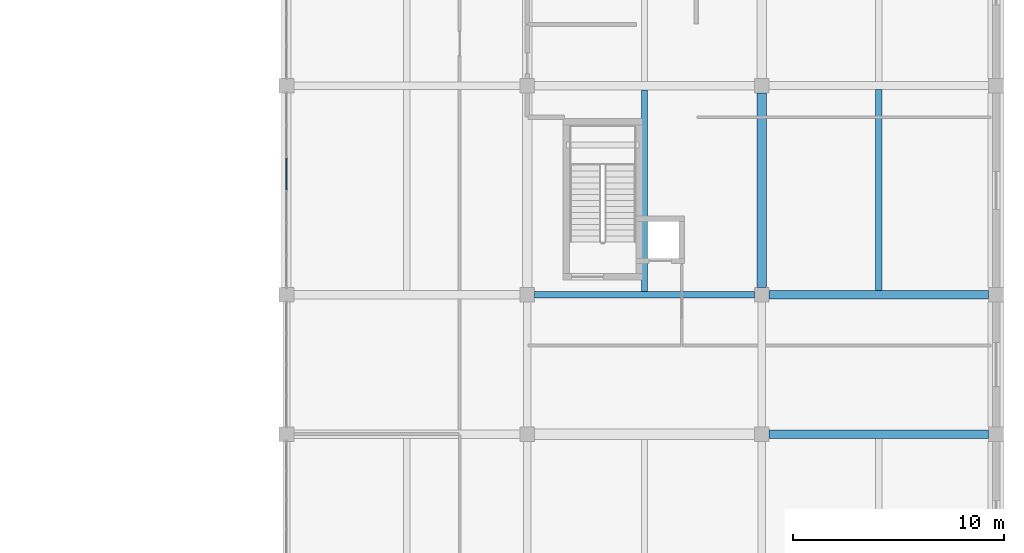
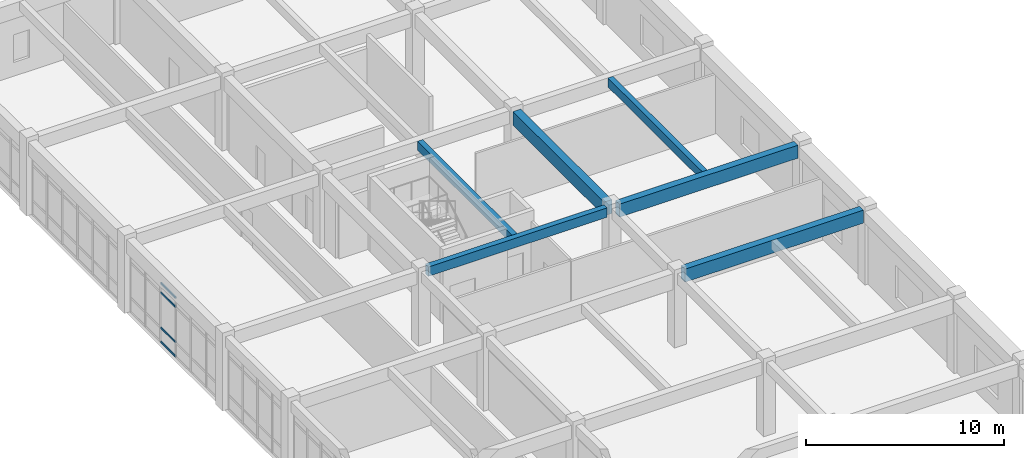
# One storey, part 28 of 65: 6 beams, 4 members, 1 element without a shape of its own.
"""IFC4 building model written with IfcOpenShell, lengths in metres."""

from ifc_helpers import new_model, si_unit, direction, frame, origin, origin_2d, place, context, subcontext, project, spatial, rectangle, extrude, material, layer, layer_set, material_profile, profile_set, type_object, element, aggregate, save


model = new_model("IFC4")

# Units and contexts
model_context = context("Model", 3, precision=1e-05, world=origin(), true_north=direction((0.0, 1.0)))
body_context = subcontext(model_context, "Body", "Model", "MODEL_VIEW")
ifc_project = project(units=[si_unit("LENGTHUNIT", "METRE"), si_unit("AREAUNIT", "SQUARE_METRE"), si_unit("VOLUMEUNIT", "CUBIC_METRE"), si_unit("PLANEANGLEUNIT", "RADIAN"), si_unit("MASSUNIT", "GRAM", prefix="KILO")], contexts=[model_context])

# Site, building, storey
site_placement = place(None, origin())
site = spatial("IfcSite", under=ifc_project, at=site_placement, CompositionType="ELEMENT")
building_placement = place(site_placement, origin())
building = spatial("IfcBuilding", under=site, at=building_placement, Name="Miralva Faculty of Natural Sciences", CompositionType="ELEMENT")
storey_placement = place(building_placement, frame((0.0, 0.0, 10.199951171875)))
storey = spatial("IfcBuildingStorey", under=building, at=storey_placement, Name="L02", CompositionType="ELEMENT", Elevation=10.199951171875)

# Beams
ifc_material_1 = material(Name="Concrete C40/50", Category="concrete")
ifc_material_profile_1 = material_profile(ifc_material_1, rectangle(XDim=0.449951171875, YDim=0.85009765625, at=origin_2d()), Name="RC 450x850")
ifc_profile_set_1 = profile_set([ifc_material_profile_1], Name="Concrete C40/50")
beam_type_1 = type_object("IfcBeamType", Name="BM-B01", PredefinedType="BEAM", material=ifc_profile_set_1)
beam_1_placement = place(storey_placement, frame((156.300048828125, 45.949951171875, 4.094970703125), z_axis=(0.0, 1.0, 0.0), x_axis=(-1.0, 0.0, 0.0)))
element("IfcBeam", 1, at=beam_1_placement, inside=storey, type_object=beam_type_1, Name="Girder NS L02-138", PredefinedType="BEAM", context=body_context, shape_type="SweptSolid", body=[
    extrude(rectangle(XDim=0.449951171875, YDim=0.85009765625, at=origin_2d()), origin(), (0.0, 0.0, 1.0), 9.199951171875),
])
ifc_material_profile_2 = material_profile(ifc_material_1, rectangle(XDim=0.39990234375, YDim=0.800048828125, at=origin_2d()), Name="RC 400x800")
ifc_profile_set_2 = profile_set([ifc_material_profile_2], Name="Concrete C40/50")
beam_type_2 = type_object("IfcBeamType", Name="BM-B02", PredefinedType="BEAM", material=ifc_profile_set_2)
for number, where, z_axis, x_axis, name in (
    (2, (156.64990234375, 39.0, 4.1201171875), (1.0, 0.0, 0.0), (0.0, 1.0, 0.0), "Girder EW L02-38"),
    (3, (156.64990234375, 45.60009765625, 4.1201171875), (1.0, 0.0, 0.0), (0.0, 1.0, 0.0), "Girder EW L02-44"),
):
    element("IfcBeam", number, at=place(storey_placement, frame(where, z_axis=z_axis, x_axis=x_axis)), inside=storey, type_object=beam_type_2, Name=name, PredefinedType="BEAM", context=body_context, shape_type="SweptSolid", body=[
        extrude(rectangle(XDim=0.39990234375, YDim=0.800048828125, at=origin_2d()), origin(), (0.0, 0.0, 1.0), 10.400146484375),
    ])
ifc_material_profile_3 = material_profile(ifc_material_1, rectangle(XDim=0.320068359375, YDim=0.580078125, at=origin_2d()), Name="RC 320x580")
ifc_profile_set_3 = profile_set([ifc_material_profile_3], Name="Concrete C40/50")
beam_type_3 = type_object("IfcBeamType", Name="BM-BG02", PredefinedType="BEAM", material=ifc_profile_set_3)
beam_2_placement = place(storey_placement, frame((145.550048828125, 45.60009765625, 4.22998046875), z_axis=(1.0, 0.0, 0.0), x_axis=(0.0, 1.0, 0.0)))
element("IfcBeam", 4, at=beam_2_placement, inside=storey, type_object=beam_type_3, Name="Girder EW L02-43", PredefinedType="BEAM", context=body_context, shape_type="SweptSolid", body=[
    extrude(rectangle(XDim=0.320068359375, YDim=0.580078125, at=origin_2d()), origin(), (0.0, 0.0, 1.0), 10.39990234375),
])
ifc_material_profile_4 = material_profile(ifc_material_1, rectangle(XDim=0.300048828125, YDim=0.550048828125, at=origin_2d()), Name="RC 300x550")
ifc_profile_set_4 = profile_set([ifc_material_profile_4], Name="Concrete C40/50")
beam_type_4 = type_object("IfcBeamType", Name="BM-J02", PredefinedType="JOIST", material=ifc_profile_set_4)
beam_3_placement = place(storey_placement, frame((150.75, 45.760009765625, 4.2451171875), z_axis=(0.0, 1.0, 0.0), x_axis=(-1.0, 0.0, 0.0)))
element("IfcBeam", 5, at=beam_3_placement, inside=storey, type_object=beam_type_4, Name="Floor joist L02-15", PredefinedType="JOIST", context=body_context, shape_type="SweptSolid", body=[
    extrude(rectangle(XDim=0.300048828125, YDim=0.550048828125, at=origin_2d()), origin(), (0.0, 0.0, 1.0), 9.5400390625),
])
beam_4_placement = place(storey_placement, frame((161.85009765625, 45.800048828125, 4.2451171875), z_axis=(0.0, 1.0, 0.0), x_axis=(-1.0, 0.0, 0.0)))
element("IfcBeam", 6, at=beam_4_placement, inside=storey, type_object=beam_type_4, Name="Floor joist L02-16", PredefinedType="JOIST", context=body_context, shape_type="SweptSolid", body=[
    extrude(rectangle(XDim=0.300048828125, YDim=0.550048828125, at=origin_2d()), origin(), (0.0, 0.0, 1.0), 9.510009765625),
])

# Curtain wall, members
ifc_material_2 = material(Name="Laminated solar-control glass", Category="glass")
ifc_layer = layer(ifc_material_2, 0.179931640625, Name="CW-COM-L01")
ifc_layer_set = layer_set([ifc_layer], Name="Laminated solar-control glass")
curtain_wall_type = type_object("IfcCurtainWallType", Name="CW-COM-L01", PredefinedType="USERDEFINED", material=ifc_layer_set)
curtain_wall_placement = place(storey_placement, origin())
curtain_wall = element("IfcCurtainWall", 7, at=curtain_wall_placement, inside=storey, type_object=curtain_wall_type, Name="Curtain wall CW-10 L02-272", ObjectType="UNITISED CURTAIN WALL", PredefinedType="USERDEFINED")
ifc_material_3 = material(Name="Anodised aluminium", Category="aluminium")
ifc_material_profile_5 = material_profile(ifc_material_3, rectangle(XDim=0.06005859375, YDim=0.1201171875, at=origin_2d()), Name="TRANSOM 60x120")
ifc_profile_set_5 = profile_set([ifc_material_profile_5], Name="Anodised aluminium")
member_type = type_object("IfcMemberType", Name="CW-T02", PredefinedType="USERDEFINED", material=ifc_profile_set_5)
member_1_placement = place(storey_placement, frame((133.800048828125, 50.580078125, 0.030029296875), z_axis=(0.0, 1.0, 0.0), x_axis=(-1.0, 0.0, 0.0)))
member_1 = element("IfcMember", 8, at=member_1_placement, type_object=member_type, Name="CW-10 transom 4.1", ObjectType="TRANSOM", PredefinedType="USERDEFINED", context=body_context, shape_type="SweptSolid", body=[
    extrude(rectangle(XDim=0.06005859375, YDim=0.1201171875, at=origin_2d()), origin(), (0.0, 0.0, 1.0), 1.478271484375),
])
member_2_placement = place(storey_placement, frame((133.800048828125, 50.580078125, 0.900146484375), z_axis=(0.0, 1.0, 0.0), x_axis=(-1.0, 0.0, 0.0)))
member_2 = element("IfcMember", 9, at=member_2_placement, type_object=member_type, Name="CW-10 transom 4.2", ObjectType="TRANSOM", PredefinedType="USERDEFINED", context=body_context, shape_type="SweptSolid", body=[
    extrude(rectangle(XDim=0.06005859375, YDim=0.1201171875, at=origin_2d()), origin(), (0.0, 0.0, 1.0), 1.478271484375),
])
member_3_placement = place(storey_placement, frame((133.800048828125, 50.580078125, 3.06494140625), z_axis=(0.0, 1.0, 0.0), x_axis=(-1.0, 0.0, 0.0)))
member_3 = element("IfcMember", 10, at=member_3_placement, type_object=member_type, Name="CW-10 transom 4.3", ObjectType="TRANSOM", PredefinedType="USERDEFINED", context=body_context, shape_type="SweptSolid", body=[
    extrude(rectangle(XDim=0.06005859375, YDim=0.1201171875, at=origin_2d()), origin(), (0.0, 0.0, 1.0), 1.478271484375),
])
member_4_placement = place(storey_placement, frame((133.800048828125, 50.580078125, 3.635009765625), z_axis=(0.0, 1.0, 0.0), x_axis=(-1.0, 0.0, 0.0)))
member_4 = element("IfcMember", 11, at=member_4_placement, type_object=member_type, Name="CW-10 transom 4.4", ObjectType="TRANSOM", PredefinedType="USERDEFINED", context=body_context, shape_type="SweptSolid", body=[
    extrude(rectangle(XDim=0.06005859375, YDim=0.1201171875, at=origin_2d()), origin(), (0.0, 0.0, 1.0), 1.478271484375),
])
aggregate(curtain_wall, [member_1, member_2, member_3, member_4])

save(model, "model.ifc")
